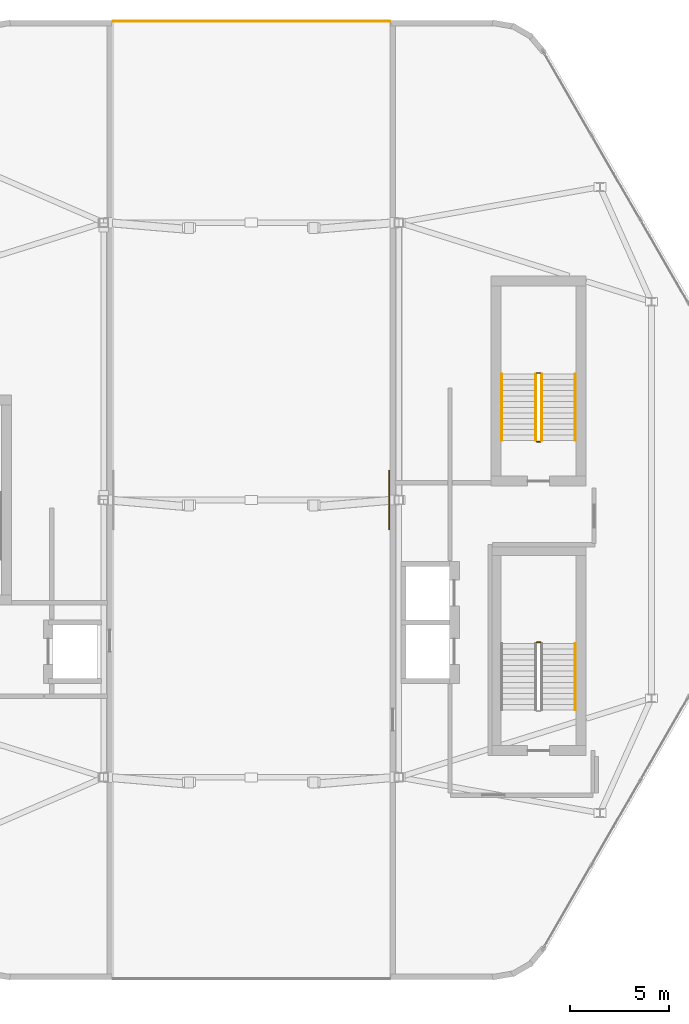
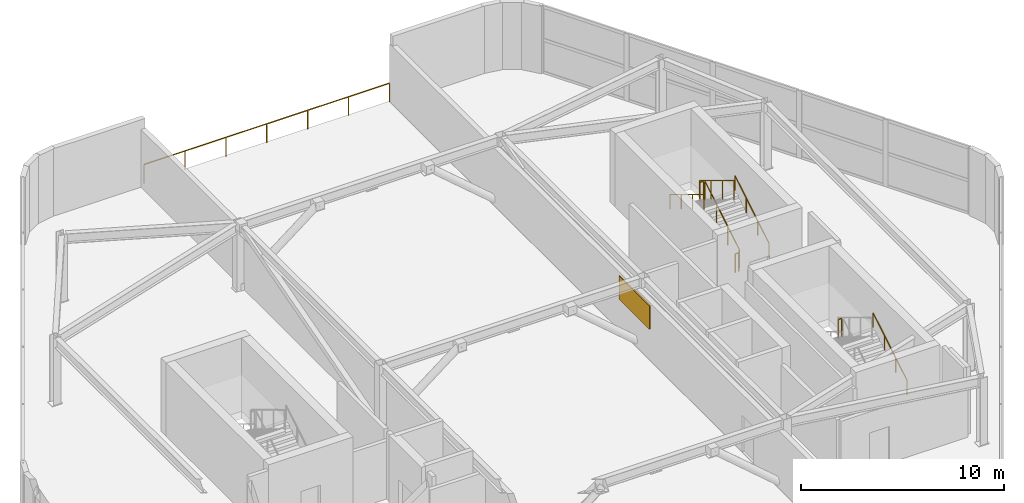
# One storey, part 17 of 17: 9 railings, 1 shading device.
"""IFC4 building model written with IfcOpenShell, lengths in metres."""

from ifc_helpers import new_model, si_unit, direction, frame, origin, origin_2d, place, context, subcontext, project, spatial, rectangle, extrude, material, layer, layer_set, type_object, element, save


model = new_model("IFC4")

# Units and contexts
model_context = context("Model", 3, precision=1e-05, world=origin(), true_north=direction((0.0, 1.0)))
body_context = subcontext(model_context, "Body", "Model", "MODEL_VIEW")
ifc_project = project(units=[si_unit("LENGTHUNIT", "METRE"), si_unit("AREAUNIT", "SQUARE_METRE"), si_unit("VOLUMEUNIT", "CUBIC_METRE"), si_unit("PLANEANGLEUNIT", "RADIAN"), si_unit("MASSUNIT", "GRAM", prefix="KILO")], contexts=[model_context])

# Site, building, storey
site_placement = place(None, origin())
site = spatial("IfcSite", under=ifc_project, at=site_placement, CompositionType="ELEMENT")
building_placement = place(site_placement, origin())
building = spatial("IfcBuilding", under=site, at=building_placement, Name="Zuhravey Tower", CompositionType="ELEMENT")
storey_placement = place(building_placement, frame((0.0, 0.0, 361.39990234375)))
storey = spatial("IfcBuildingStorey", under=building, at=storey_placement, Name="L92", CompositionType="ELEMENT", Elevation=361.39990234375)

# Railing
ifc_material_1 = material(Name="Stainless steel 316 and laminated glass", Category="steel")
railing_type_1 = type_object("IfcRailingType", Name="Balcony & Terrace Guardrail 1150", PredefinedType="BALUSTRADE", material=ifc_material_1)
railing_1_placement = place(storey_placement, frame((29.02001953125, 56.154052734375, 0.0)))
element("IfcRailing", 1, at=railing_1_placement, inside=storey, type_object=railing_type_1, Name="L92 Wind-Portal Open Edge Guardrail 4", PredefinedType="BALUSTRADE", context=body_context, shape_type="SweptSolid", body=[
    extrude(rectangle(XDim=0.048095703125, YDim=0.048095703125, at=origin_2d()), frame((0.001953125, 0.0, 1.1259765625), z_axis=(1.0, 0.0, 0.0), x_axis=(0.0, 1.0, 0.0)), (0.0, 0.0, 1.0), 13.9560546875),
    extrude(rectangle(XDim=0.0419921875, YDim=0.0419921875, at=origin_2d()), origin(), (0.0, 0.0, 1.0), 1.099853515625),
    extrude(rectangle(XDim=0.0419921875, YDim=0.0419921875, at=origin_2d()), frame((2.32666015625, 0.0, 0.0)), (0.0, 0.0, 1.0), 1.099853515625),
    extrude(rectangle(XDim=0.0419921875, YDim=0.0419921875, at=origin_2d()), frame((4.6533203125, 0.0, 0.0)), (0.0, 0.0, 1.0), 1.099853515625),
    extrude(rectangle(XDim=0.0419921875, YDim=0.0419921875, at=origin_2d()), frame((6.97998046875, 0.0, 0.0)), (0.0, 0.0, 1.0), 1.099853515625),
    extrude(rectangle(XDim=0.0419921875, YDim=0.0419921875, at=origin_2d()), frame((9.306640625, 0.0, 0.0)), (0.0, 0.0, 1.0), 1.099853515625),
    extrude(rectangle(XDim=0.0419921875, YDim=0.0419921875, at=origin_2d()), frame((11.63330078125, 0.0, 0.0)), (0.0, 0.0, 1.0), 1.099853515625),
    extrude(rectangle(XDim=0.0419921875, YDim=0.0419921875, at=origin_2d()), frame((13.9599609375, 0.0, 0.0)), (0.0, 0.0, 1.0), 1.099853515625),
])

# Shading device
ifc_material_2 = material(Name="Bronze-anodised perforated aluminium", Category="aluminium")
ifc_layer = layer(ifc_material_2, 0.06005859375)
ifc_layer_set = layer_set([ifc_layer], Name="Bronze-anodised perforated aluminium")
shading_device_type = type_object("IfcShadingDeviceType", Name="Girih Mashrabiya Solar Screen", PredefinedType="USERDEFINED", material=ifc_layer_set)
shading_device_placement = place(storey_placement, frame((42.969970703125, 32.0, 1.900146484375), z_axis=(0.0, 0.0, 1.0), x_axis=(0.0, 1.0, 0.0)))
element("IfcShadingDevice", 2, at=shading_device_placement, inside=storey, type_object=shading_device_type, Name="L92 EAST Wind-Portal Girih Screen SCR1", ObjectType="SCREEN", PredefinedType="USERDEFINED", context=body_context, shape_type="SweptSolid", body=[
    extrude(rectangle(XDim=3.0, YDim=0.06005859375, at=origin_2d()), origin(), (0.0, 0.0, 1.0), 1.39990234375),
])

# Railings
ifc_material_3 = material(Name="Brushed stainless steel", Category="steel")
railing_type_2 = type_object("IfcRailingType", Name="Stair Wall Handrail 900", PredefinedType="HANDRAIL", material=ifc_material_3)
for number, where, name in (
    (3, (52.35009765625, 21.39990234375, 0.16943359375), "L92 CST2 stair handrail 1"),
    (4, (52.35009765625, 35.0, 0.16943359375), "L92 CST3 stair handrail 1"),
):
    element("IfcRailing", number, at=place(storey_placement, frame(where)), inside=storey, type_object=railing_type_2, Name=name, PredefinedType="HANDRAIL", context=body_context, shape_type="SweptSolid", body=[
        extrude(rectangle(XDim=0.048095703125, YDim=0.048095703125, at=origin_2d()), frame((0.0, 0.001708984375, 0.876953125), z_axis=(0.0, 0.855836976705, 0.517245656632), x_axis=(-1.0, 0.0, 0.0)), (0.0, 0.0, 1.0), 3.922119140625),
        extrude(rectangle(XDim=0.0419921875, YDim=0.0419921875, at=origin_2d()), origin(), (0.0, 0.0, 1.0), 0.849853515625),
        extrude(rectangle(XDim=0.0419921875, YDim=0.0419921875, at=origin_2d()), frame((0.0, 1.1201171875, 0.677001953125)), (0.0, 0.0, 1.0), 0.849853515625),
        extrude(rectangle(XDim=0.0419921875, YDim=0.0419921875, at=origin_2d()), frame((0.0, 2.239990234375, 1.353759765625)), (0.0, 0.0, 1.0), 0.849853515625),
        extrude(rectangle(XDim=0.0419921875, YDim=0.0419921875, at=origin_2d()), frame((0.0, 3.360107421875, 2.03076171875)), (0.0, 0.0, 1.0), 0.849853515625),
    ])
railing_2_placement = place(storey_placement, frame((48.64990234375, 38.360107421875, 2.369384765625)))
element("IfcRailing", 5, at=railing_2_placement, inside=storey, type_object=railing_type_2, Name="L92 CST3 stair handrail 2", PredefinedType="HANDRAIL", context=body_context, shape_type="SweptSolid", body=[
    extrude(rectangle(XDim=0.048095703125, YDim=0.048095703125, at=origin_2d()), frame((0.0, -0.001708984375, 0.876953125), z_axis=(0.0, -0.855836976705, 0.517245656632), x_axis=(1.0, 0.0, 0.0)), (0.0, 0.0, 1.0), 3.922119140625),
    extrude(rectangle(XDim=0.0419921875, YDim=0.0419921875, at=origin_2d()), origin(), (0.0, 0.0, 1.0), 0.849853515625),
    extrude(rectangle(XDim=0.0419921875, YDim=0.0419921875, at=origin_2d()), frame((0.0, -1.1201171875, 0.677001953125)), (0.0, 0.0, 1.0), 0.849853515625),
    extrude(rectangle(XDim=0.0419921875, YDim=0.0419921875, at=origin_2d()), frame((0.0, -2.239990234375, 1.353759765625)), (0.0, 0.0, 1.0), 0.849853515625),
    extrude(rectangle(XDim=0.0419921875, YDim=0.0419921875, at=origin_2d()), frame((0.0, -3.360107421875, 2.03076171875)), (0.0, 0.0, 1.0), 0.849853515625),
])
ifc_material_4 = material(Name="Painted tubular steel", Category="steel")
railing_type_3 = type_object("IfcRailingType", Name="Stair Well Guardrail 1150", PredefinedType="GUARDRAIL", material=ifc_material_4)
railing_3_placement = place(storey_placement, frame((50.60009765625, 24.81005859375, 2.2001953125)))
element("IfcRailing", 6, at=railing_3_placement, inside=storey, type_object=railing_type_3, Name="L92 CST2 stair guard 2", PredefinedType="GUARDRAIL", context=body_context, shape_type="SweptSolid", body=[
    extrude(rectangle(XDim=0.048095703125, YDim=0.048095703125, at=origin_2d()), frame((-0.001953125, 0.0, 1.1259765625), z_axis=(-1.0, 0.0, 0.0), x_axis=(0.0, -1.0, 0.0)), (0.0, 0.0, 1.0), 0.1962890625),
    extrude(rectangle(XDim=0.0419921875, YDim=0.0419921875, at=origin_2d()), origin(), (0.0, 0.0, 1.0), 1.099853515625),
    extrude(rectangle(XDim=0.0419921875, YDim=0.0419921875, at=origin_2d()), frame((-0.2001953125, 0.0, 0.0)), (0.0, 0.0, 1.0), 1.099853515625),
])
railing_4_placement = place(storey_placement, frame((50.64990234375, 35.0, 0.16943359375)))
element("IfcRailing", 7, at=railing_4_placement, inside=storey, type_object=railing_type_3, Name="L92 CST3 stair guard 1", PredefinedType="GUARDRAIL", context=body_context, shape_type="SweptSolid", body=[
    extrude(rectangle(XDim=0.048095703125, YDim=0.048095703125, at=origin_2d()), frame((0.0, 0.001708984375, 1.126953125), z_axis=(0.0, 0.855836976705, 0.517245656632), x_axis=(-1.0, 0.0, 0.0)), (0.0, 0.0, 1.0), 3.922119140625),
    extrude(rectangle(XDim=0.0419921875, YDim=0.0419921875, at=origin_2d()), origin(), (0.0, 0.0, 1.0), 1.099853515625),
    extrude(rectangle(XDim=0.0419921875, YDim=0.0419921875, at=origin_2d()), frame((0.0, 1.1201171875, 0.677001953125)), (0.0, 0.0, 1.0), 1.099853515625),
    extrude(rectangle(XDim=0.0419921875, YDim=0.0419921875, at=origin_2d()), frame((0.0, 2.239990234375, 1.353759765625)), (0.0, 0.0, 1.0), 1.099853515625),
    extrude(rectangle(XDim=0.0419921875, YDim=0.0419921875, at=origin_2d()), frame((0.0, 3.360107421875, 2.03076171875)), (0.0, 0.0, 1.0), 1.099853515625),
])
railing_5_placement = place(storey_placement, frame((50.60009765625, 38.409912109375, 2.2001953125)))
element("IfcRailing", 8, at=railing_5_placement, inside=storey, type_object=railing_type_3, Name="L92 CST3 stair guard 2", PredefinedType="GUARDRAIL", context=body_context, shape_type="SweptSolid", body=[
    extrude(rectangle(XDim=0.048095703125, YDim=0.048095703125, at=origin_2d()), frame((-0.001953125, 0.0, 1.1259765625), z_axis=(-1.0, 0.0, 0.0), x_axis=(0.0, -1.0, 0.0)), (0.0, 0.0, 1.0), 0.1962890625),
    extrude(rectangle(XDim=0.0419921875, YDim=0.0419921875, at=origin_2d()), origin(), (0.0, 0.0, 1.0), 1.099853515625),
    extrude(rectangle(XDim=0.0419921875, YDim=0.0419921875, at=origin_2d()), frame((-0.2001953125, 0.0, 0.0)), (0.0, 0.0, 1.0), 1.099853515625),
])
railing_6_placement = place(storey_placement, frame((50.35009765625, 38.360107421875, 2.369384765625)))
element("IfcRailing", 9, at=railing_6_placement, inside=storey, type_object=railing_type_3, Name="L92 CST3 stair guard 3", PredefinedType="GUARDRAIL", context=body_context, shape_type="SweptSolid", body=[
    extrude(rectangle(XDim=0.048095703125, YDim=0.048095703125, at=origin_2d()), frame((0.0, -0.001708984375, 1.126953125), z_axis=(0.0, -0.855836976705, 0.517245656632), x_axis=(1.0, 0.0, 0.0)), (0.0, 0.0, 1.0), 3.922119140625),
    extrude(rectangle(XDim=0.0419921875, YDim=0.0419921875, at=origin_2d()), origin(), (0.0, 0.0, 1.0), 1.099853515625),
    extrude(rectangle(XDim=0.0419921875, YDim=0.0419921875, at=origin_2d()), frame((0.0, -1.1201171875, 0.677001953125)), (0.0, 0.0, 1.0), 1.099853515625),
    extrude(rectangle(XDim=0.0419921875, YDim=0.0419921875, at=origin_2d()), frame((0.0, -2.239990234375, 1.353759765625)), (0.0, 0.0, 1.0), 1.099853515625),
    extrude(rectangle(XDim=0.0419921875, YDim=0.0419921875, at=origin_2d()), frame((0.0, -3.360107421875, 2.03076171875)), (0.0, 0.0, 1.0), 1.099853515625),
])
railing_7_placement = place(storey_placement, frame((50.60009765625, 34.949951171875, 0.0)))
element("IfcRailing", 10, at=railing_7_placement, inside=storey, type_object=railing_type_3, Name="L92 CST3 stair guard 4", PredefinedType="GUARDRAIL", context=body_context, shape_type="SweptSolid", body=[
    extrude(rectangle(XDim=0.048095703125, YDim=0.048095703125, at=origin_2d()), frame((-0.001953125, 0.0, 1.1259765625), z_axis=(-1.0, 0.0, 0.0), x_axis=(0.0, -1.0, 0.0)), (0.0, 0.0, 1.0), 0.1962890625),
    extrude(rectangle(XDim=0.0419921875, YDim=0.0419921875, at=origin_2d()), origin(), (0.0, 0.0, 1.0), 1.099853515625),
    extrude(rectangle(XDim=0.0419921875, YDim=0.0419921875, at=origin_2d()), frame((-0.2001953125, 0.0, 0.0)), (0.0, 0.0, 1.0), 1.099853515625),
])

save(model, "model.ifc")
